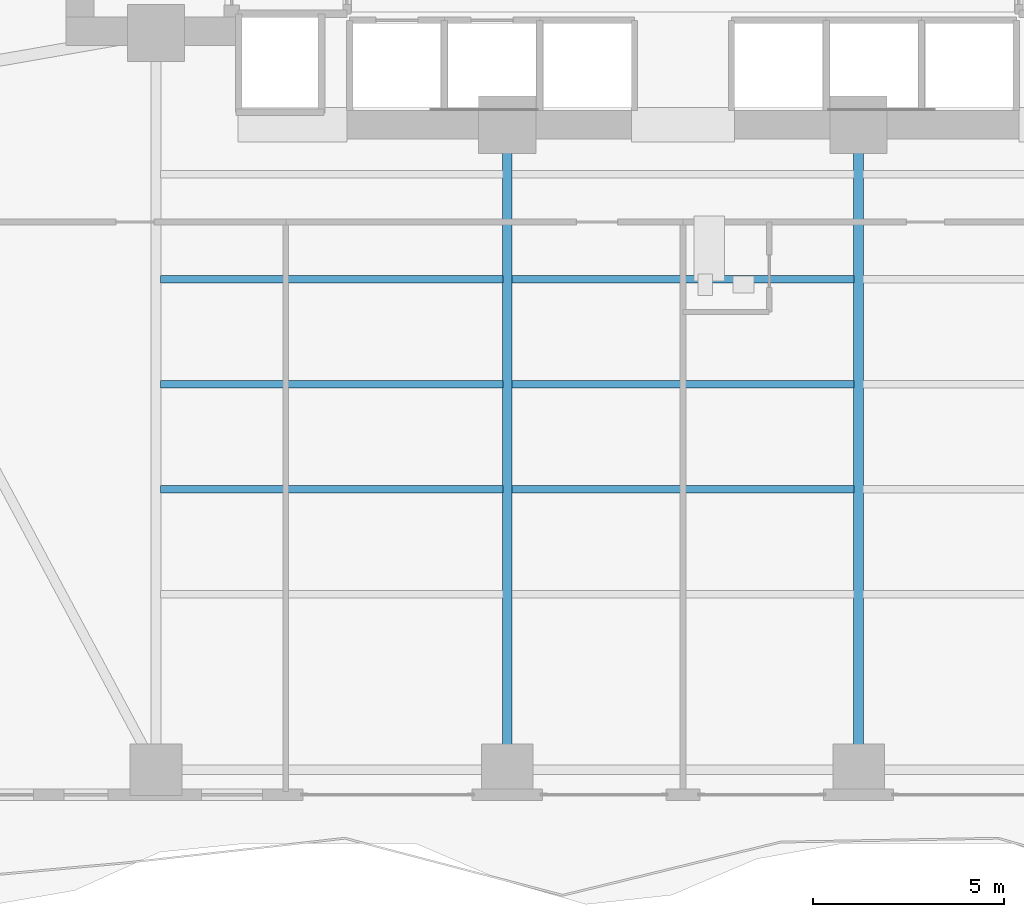
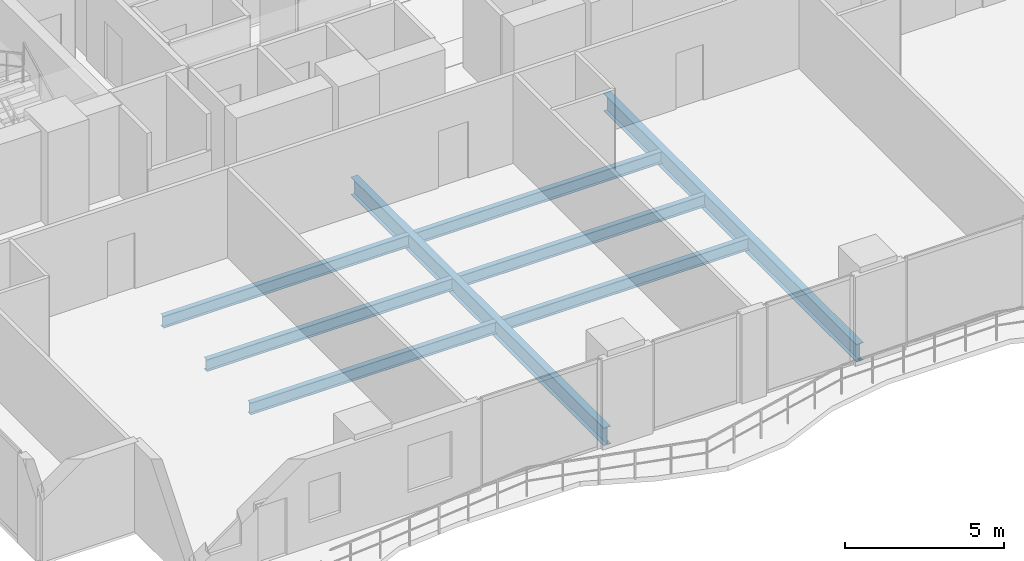
# One storey, part 6 of 29: 8 beams.
"""IFC4 building model written with IfcOpenShell, lengths in metres."""

import ifcopenshell
import ifcopenshell.guid

model = None  # the IFC model being written
_history = None  # IfcOwnerHistory: only IFC2X3 demands one
_inside = {}  # id of a spatial element -> (the spatial element, [elements in it])
_under = {}  # id of a project, library or spatial element -> (it, [spatial elements below it])
_declared = {}  # id of a project -> (the project, [libraries it declares])
_typed = {}  # id of a type object -> (the type object, [elements of that type])
_made_of = {}  # id of a material, layer set ... -> (it, [elements and type objects made of it])


def new_model(schema):
    """Start an empty IFC model of exactly this schema.

    Asked for "IFC4X3", IfcOpenShell would pick the latest addendum, in which some entities
    have other attributes; the version numbers below select the first issue.
    IFC2X3 requires an IfcOwnerHistory on every rooted entity: one is made here for all.
    """
    global model, _history
    if schema == "IFC4X3":
        model = ifcopenshell.file(schema_version=(4, 3, 0, 0))
    else:
        model = ifcopenshell.file(schema=schema)
    _inside.clear()
    _under.clear()
    _declared.clear()
    _typed.clear()
    _made_of.clear()
    _history = None
    if model.schema == "IFC2X3":
        org = make("IfcOrganization", Name="unknown")
        user = make(
            "IfcPersonAndOrganization",
            ThePerson=make("IfcPerson", FamilyName="unknown"),
            TheOrganization=org,
        )
        app = make(
            "IfcApplication",
            ApplicationDeveloper=org,
            Version="unknown",
            ApplicationFullName="unknown",
            ApplicationIdentifier="unknown",
        )
        _history = make(
            "IfcOwnerHistory",
            OwningUser=user,
            OwningApplication=app,
            ChangeAction="ADDED",
            CreationDate=0,
        )
    return model


def make(cls, **values):
    """One entity of the class cls with the attributes given. An attribute that is None is left unset."""
    return model.create_entity(
        cls, **{name: value for name, value in values.items() if value is not None}
    )


def rooted(cls, **values):
    """An entity with a GlobalId (a new one), such as an element, a storey or a relation."""
    return make(cls, GlobalId=ifcopenshell.guid.new(), OwnerHistory=_history, **values)


def si_unit(unit_type, name, prefix=None):
    """IfcSIUnit, for example si_unit("LENGTHUNIT", "METRE", prefix="MILLI")."""
    return make("IfcSIUnit", UnitType=unit_type, Prefix=prefix, Name=name)


def assignment(units):
    """IfcUnitAssignment: the units of a project."""
    return None if units is None else make("IfcUnitAssignment", Units=units)


def point(xyz):
    """IfcCartesianPoint."""
    return None if xyz is None else make("IfcCartesianPoint", Coordinates=xyz)


def direction(xyz):
    """IfcDirection."""
    return None if xyz is None else make("IfcDirection", DirectionRatios=xyz)


def frame(location, z_axis=None, x_axis=None):
    """IfcAxis2Placement3D, a coordinate frame: its origin and axes. An axis left out is left unset."""
    return make(
        "IfcAxis2Placement3D",
        Location=point(location),
        Axis=direction(z_axis),
        RefDirection=direction(x_axis),
    )


def frame_2d(location, x_axis=None):
    """IfcAxis2Placement2D, a coordinate frame in the plane: its origin and x axis."""
    return make(
        "IfcAxis2Placement2D", Location=point(location), RefDirection=direction(x_axis)
    )


def origin():
    """The frame at (0, 0, 0) with its axes left unset."""
    return frame((0.0, 0.0, 0.0))


def origin_2d():
    """The frame at (0, 0) in the plane with its x axis left unset."""
    return frame_2d((0.0, 0.0))


def place(relative_to, where):
    """IfcLocalPlacement: puts the frame where relative to a parent placement (None: the world)."""
    return make(
        "IfcLocalPlacement", PlacementRelTo=relative_to, RelativePlacement=where
    )


def context(
    kind, dimensions, precision=None, world=None, true_north=None, identifier=None
):
    """IfcGeometricRepresentationContext, for example the 3D "Model" context."""
    return make(
        "IfcGeometricRepresentationContext",
        ContextIdentifier=identifier,
        ContextType=kind,
        CoordinateSpaceDimension=dimensions,
        Precision=precision,
        WorldCoordinateSystem=world,
        TrueNorth=true_north,
    )


def subcontext(parent, identifier, kind, view, scale=None):
    """IfcGeometricRepresentationSubContext, for example "Body" below "Model"."""
    return make(
        "IfcGeometricRepresentationSubContext",
        ContextIdentifier=identifier,
        ContextType=kind,
        ParentContext=parent,
        TargetScale=scale,
        TargetView=view,
    )


def project(units=None, contexts=None):
    """IfcProject with its units and contexts."""
    return rooted(
        "IfcProject",
        Name="project",
        RepresentationContexts=contexts,
        UnitsInContext=assignment(units),
    )


def spatial(cls, under=None, at=None, **own):
    """A site, building, storey or space (cls), placed at a placement, below another one or the project."""
    s = rooted(cls, ObjectPlacement=at, **own)
    if under is not None:
        _under.setdefault(under.id(), (under, []))[1].append(s)
    return s


def profile(cls, at=None, kind="AREA", **sizes):
    """A parametric profile (cls). Its sizes go by their IFC names, for example OverallWidth=200.0."""
    return make(cls, ProfileType=kind, Position=at, **sizes)


def i_section(**sizes):
    """IfcIShapeProfileDef."""
    return profile("IfcIShapeProfileDef", **sizes)


def extrude(swept, where, along, depth):
    """IfcExtrudedAreaSolid: the profile swept, set in the frame where, extruded along a direction by depth."""
    return make(
        "IfcExtrudedAreaSolid",
        SweptArea=swept,
        Position=where,
        ExtrudedDirection=direction(along),
        Depth=depth,
    )


def shape(context_of_items, identifier, shape_type, items):
    """IfcShapeRepresentation: the items that make up one representation, for example the "Body"."""
    return make(
        "IfcShapeRepresentation",
        ContextOfItems=context_of_items,
        RepresentationIdentifier=identifier,
        RepresentationType=shape_type,
        Items=items,
    )


def material(Name=None, Category=None):
    """IfcMaterial."""
    return make("IfcMaterial", Name=Name, Category=Category)


def material_profile(
    of_material, cross_section, Name=None, Category=None, Priority=None
):
    """IfcMaterialProfile: a cross section and its material."""
    return make(
        "IfcMaterialProfile",
        Name=Name,
        Material=of_material,
        Profile=cross_section,
        Priority=Priority,
        Category=Category,
    )


def profile_set(profiles, Name=None, composite=None):
    """IfcMaterialProfileSet."""
    return make(
        "IfcMaterialProfileSet",
        Name=Name,
        MaterialProfiles=profiles,
        CompositeProfile=composite,
    )


def made_of(thing, what):
    """Note that an element or type object is made of a material, layer set ...; save() writes the relation."""
    if what is not None:
        _made_of.setdefault(what.id(), (what, []))[1].append(thing)
    return thing


def type_object(cls, material=None, **own):
    """A type object (cls), such as IfcWallType, which elements share."""
    return made_of(rooted(cls, **own), material)


def element(
    cls,
    number,
    at=None,
    inside=None,
    cuts=None,
    type_object=None,
    material=None,
    context=None,
    identifier="Body",
    shape_type=None,
    held_by="IfcProductDefinitionShape",
    body=None,
    shapes=None,
    **own,
):
    """One element of the class cls, such as IfcWall. Its Tag is "e" and its number.

    at: its placement. inside: the storey or other place that contains it. cuts: it is an
    opening in that element (IfcRelVoidsElement). A single representation is given by context,
    identifier, shape_type and body (its items); several are given by shapes. held_by: the class
    of the entity that holds the representations. save() writes the other relations.
    """
    e = rooted(cls, Tag="e%d" % number, ObjectPlacement=at, **own)
    if body is not None:
        shapes = [shape(context, identifier, shape_type, body)]
    if shapes is not None:
        e.Representation = make(held_by, Representations=shapes)
    if inside is not None:
        _inside.setdefault(inside.id(), (inside, []))[1].append(e)
    if cuts is not None:
        rooted(
            "IfcRelVoidsElement", RelatingBuildingElement=cuts, RelatedOpeningElement=e
        )
    if type_object is not None:
        _typed.setdefault(type_object.id(), (type_object, []))[1].append(e)
    return made_of(e, material)


def aggregate(whole, parts):
    """IfcRelAggregates: a whole, such as a stair, and the parts it consists of."""
    return rooted("IfcRelAggregates", RelatingObject=whole, RelatedObjects=parts)


def save(model, path):
    """Write the relations noted so far, then the file.

    IfcRelAggregates (storeys below a building ...), IfcRelContainedInSpatialStructure (elements
    in a storey), IfcRelDefinesByType, IfcRelAssociatesMaterial and IfcRelDeclares: one each for
    every whole, place, type object, material and project.
    """
    for whole, parts in _under.values():
        aggregate(whole, parts)
    for where, things in _inside.values():
        rooted(
            "IfcRelContainedInSpatialStructure",
            RelatedElements=things,
            RelatingStructure=where,
        )
    for kind, things in _typed.values():
        rooted("IfcRelDefinesByType", RelatedObjects=things, RelatingType=kind)
    for what, things in _made_of.values():
        rooted("IfcRelAssociatesMaterial", RelatedObjects=things, RelatingMaterial=what)
    for by, libraries in _declared.values():
        rooted("IfcRelDeclares", RelatingContext=by, RelatedDefinitions=libraries)
    model.write(path)


model = new_model("IFC4")

# Units and contexts
model_context = context("Model", 3, precision=1e-05, world=origin(), true_north=direction((0.0, 1.0)))
body_context = subcontext(model_context, "Body", "Model", "MODEL_VIEW")
ifc_project = project(units=[si_unit("LENGTHUNIT", "METRE"), si_unit("AREAUNIT", "SQUARE_METRE"), si_unit("VOLUMEUNIT", "CUBIC_METRE"), si_unit("PLANEANGLEUNIT", "RADIAN"), si_unit("MASSUNIT", "GRAM", prefix="KILO")], contexts=[model_context])

# Site, building, storey
site_placement = place(None, origin())
site = spatial("IfcSite", under=ifc_project, at=site_placement, CompositionType="ELEMENT")
building_placement = place(site_placement, origin())
building = spatial("IfcBuilding", under=site, at=building_placement, Name="Zuhayl Quay Hotel", CompositionType="ELEMENT")
storey_placement = place(building_placement, frame((0.0, 0.0, 132.14990234375)))
storey = spatial("IfcBuildingStorey", under=building, at=storey_placement, Name="L33", CompositionType="ELEMENT", Elevation=132.14990234375)

# Beams
ifc_material = material(Name="Steel ASTM A992 Grade 50", Category="steel")
ifc_material_profile_1 = material_profile(ifc_material, i_section(OverallWidth=0.25390625, OverallDepth=0.68310546875, WebThickness=0.012451171875, FlangeThickness=0.018798828125, at=origin_2d()), Name="W27X94")
ifc_profile_set_1 = profile_set([ifc_material_profile_1], Name="Steel ASTM A992 Grade 50")
beam_type_1 = type_object("IfcBeamType", Name="BM_B2_W27X94", PredefinedType="BEAM", material=ifc_profile_set_1)
for number, where, z_axis, x_axis, name in (
    (1, (-4.60009765625, -14.25, -0.5615234375), (0.0, 1.0, 0.0), (-1.0, 0.0, 0.0), "L33 Floor Beam FG_S_L33_2"),
    (2, (4.60009765625, -14.25, -0.5615234375), (0.0, 1.0, 0.0), (-1.0, 0.0, 0.0), "L33 Floor Beam FG_S_L33_3"),
):
    element("IfcBeam", number, at=place(storey_placement, frame(where, z_axis=z_axis, x_axis=x_axis)), inside=storey, type_object=beam_type_1, Name=name, PredefinedType="BEAM", context=body_context, shape_type="SweptSolid", body=[
        extrude(i_section(OverallWidth=0.25390625, OverallDepth=0.68310546875, WebThickness=0.012451171875, FlangeThickness=0.018798828125, at=origin_2d()), origin(), (0.0, 0.0, 1.0), 15.949951171875),
    ])
ifc_material_profile_2 = material_profile(ifc_material, i_section(OverallWidth=0.18994140625, OverallDepth=0.45703125, WebThickness=0.009033203125, FlangeThickness=0.014404296875, at=origin_2d()), Name="W18X50")
ifc_profile_set_2 = profile_set([ifc_material_profile_2], Name="Steel ASTM A992 Grade 50")
beam_type_2 = type_object("IfcBeamType", Name="BM_J2_W18X50", PredefinedType="JOIST", material=ifc_profile_set_2)
for number, where, z_axis, x_axis, name in (
    (3, (-13.680908203125, -7.39990234375, -0.448486328125), (1.0, 0.0, 0.0), (0.0, 1.0, 0.0), "L33 Floor Beam FJ_L33_6_1"),
    (4, (-4.48095703125, -7.39990234375, -0.448486328125), (1.0, 0.0, 0.0), (0.0, 1.0, 0.0), "L33 Floor Beam FJ_L33_6_2"),
    (5, (-13.680908203125, -4.64990234375, -0.448486328125), (1.0, 0.0, 0.0), (0.0, 1.0, 0.0), "L33 Floor Beam FJ_L33_7_1"),
    (6, (-4.48095703125, -4.64990234375, -0.448486328125), (1.0, 0.0, 0.0), (0.0, 1.0, 0.0), "L33 Floor Beam FJ_L33_7_2"),
    (7, (-13.680908203125, -1.89990234375, -0.448486328125), (1.0, 0.0, 0.0), (0.0, 1.0, 0.0), "L33 Floor Beam FJ_L33_8_1"),
    (8, (-4.48095703125, -1.89990234375, -0.448486328125), (1.0, 0.0, 0.0), (0.0, 1.0, 0.0), "L33 Floor Beam FJ_L33_8_2"),
):
    element("IfcBeam", number, at=place(storey_placement, frame(where, z_axis=z_axis, x_axis=x_axis)), inside=storey, type_object=beam_type_2, Name=name, PredefinedType="JOIST", context=body_context, shape_type="SweptSolid", body=[
        extrude(i_section(OverallWidth=0.18994140625, OverallDepth=0.45703125, WebThickness=0.009033203125, FlangeThickness=0.014404296875, at=origin_2d()), origin(), (0.0, 0.0, 1.0), 8.9619140625),
    ])

save(model, "model.ifc")
